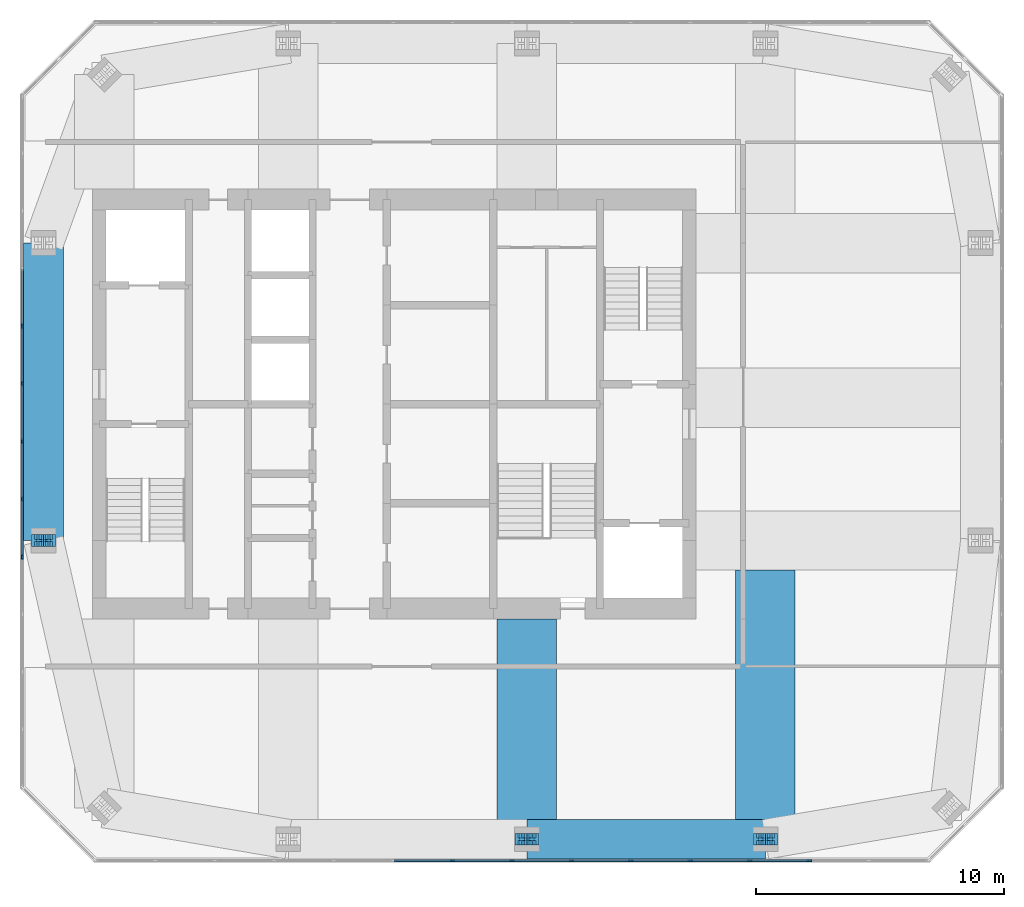
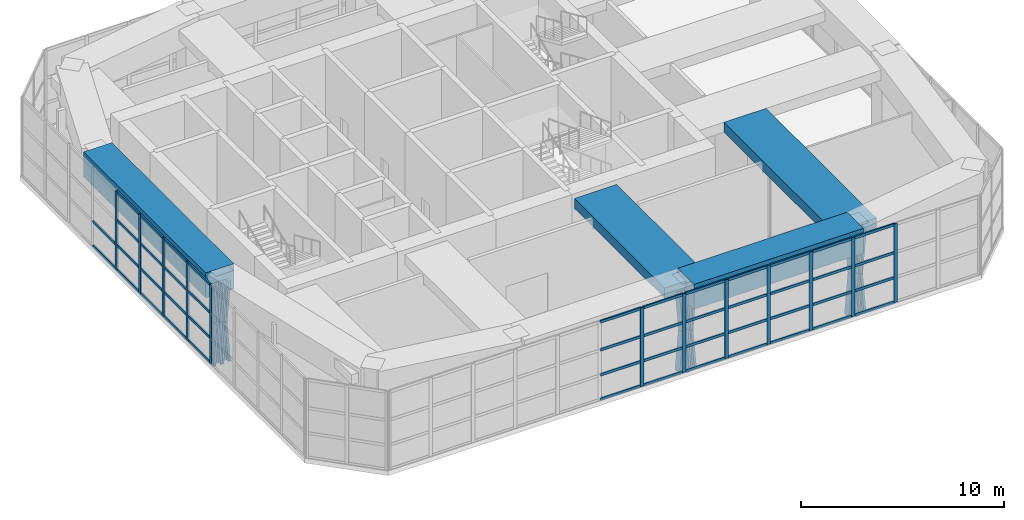
# One storey, part 3 of 14: 70 members, 4 beams, 2 elements without a shape of their own.
"""IFC4 building model written with IfcOpenShell, lengths in metres."""

from ifc_helpers import new_model, si_unit, direction, frame, origin, origin_2d, place, context, subcontext, project, spatial, rectangle, i_section, extrude, material, material_profile, profile_set, type_object, element, aggregate, save


model = new_model("IFC4")

# Units and contexts
model_context = context("Model", 3, precision=1e-05, world=origin(), true_north=direction((0.0, 1.0)))
body_context = subcontext(model_context, "Body", "Model", "MODEL_VIEW")
ifc_project = project(units=[si_unit("LENGTHUNIT", "METRE"), si_unit("AREAUNIT", "SQUARE_METRE"), si_unit("VOLUMEUNIT", "CUBIC_METRE"), si_unit("PLANEANGLEUNIT", "RADIAN"), si_unit("MASSUNIT", "GRAM", prefix="KILO")], contexts=[model_context])

# Site, building, storey
site_placement = place(None, origin())
site = spatial("IfcSite", under=ifc_project, at=site_placement, CompositionType="ELEMENT")
building_placement = place(site_placement, origin())
building = spatial("IfcBuilding", under=site, at=building_placement, Name="Jalousie Tower", CompositionType="ELEMENT")
storey_placement = place(building_placement, frame((0.0, 0.0, 267.75)))
storey = spatial("IfcBuildingStorey", under=building, at=storey_placement, Name="L73", CompositionType="ELEMENT", Elevation=267.75)

# Curtain wall, members
ifc_material_1 = material(Name="Aluminium curtain wall", Category="aluminium")
curtain_wall_type = type_object("IfcCurtainWallType", Name="CROWN LOUVRE WALL", PredefinedType="USERDEFINED", material=ifc_material_1)
curtain_wall_1_placement = place(storey_placement, origin())
curtain_wall_1 = element("IfcCurtainWall", 1, at=curtain_wall_1_placement, inside=storey, type_object=curtain_wall_type, Name="Crown Louvre Wall L73 1", ObjectType="CROWN LOUVRE WALL", PredefinedType="USERDEFINED")
ifc_material_2 = material(Name="Aluminium mullion", Category="aluminium")
ifc_material_profile_1 = material_profile(ifc_material_2, rectangle(XDim=0.080078125, YDim=0.199951171875, at=origin_2d()), Name="MULLION 80x200")
ifc_profile_set_1 = profile_set([ifc_material_profile_1], Name="Aluminium mullion")
member_type_1 = type_object("IfcMemberType", Name="CROWN LOUVRE WALL MULLION", PredefinedType="MULLION", material=ifc_profile_set_1)
member_1_placement = place(storey_placement, frame((34.250244140625, 0.08740234375, 0.0), z_axis=(0.0, 0.0, 1.0), x_axis=(0.0, 1.0, 0.0)))
member_1 = element("IfcMember", 2, at=member_1_placement, type_object=member_type_1, Name="CW-L mullion 7", PredefinedType="MULLION", context=body_context, shape_type="SweptSolid", body=[
    extrude(rectangle(XDim=0.080078125, YDim=0.199951171875, at=origin_2d()), origin(), (0.0, 0.0, 1.0), 4.719970703125),
])
member_2_placement = place(storey_placement, frame((36.64990234375, 0.08740234375, 0.0), z_axis=(0.0, 0.0, 1.0), x_axis=(0.0, 1.0, 0.0)))
member_2 = element("IfcMember", 3, at=member_2_placement, type_object=member_type_1, Name="CW-L mullion 8", PredefinedType="MULLION", context=body_context, shape_type="SweptSolid", body=[
    extrude(rectangle(XDim=0.080078125, YDim=0.199951171875, at=origin_2d()), origin(), (0.0, 0.0, 1.0), 4.719970703125),
])
member_3_placement = place(storey_placement, frame((39.0498046875, 0.08740234375, 0.0), z_axis=(0.0, 0.0, 1.0), x_axis=(0.0, 1.0, 0.0)))
member_3 = element("IfcMember", 4, at=member_3_placement, type_object=member_type_1, Name="CW-L mullion 9", PredefinedType="MULLION", context=body_context, shape_type="SweptSolid", body=[
    extrude(rectangle(XDim=0.080078125, YDim=0.199951171875, at=origin_2d()), origin(), (0.0, 0.0, 1.0), 4.719970703125),
])
member_4_placement = place(storey_placement, frame((41.44970703125, 0.08740234375, 0.0), z_axis=(0.0, 0.0, 1.0), x_axis=(0.0, 1.0, 0.0)))
member_4 = element("IfcMember", 5, at=member_4_placement, type_object=member_type_1, Name="CW-L mullion 10", PredefinedType="MULLION", context=body_context, shape_type="SweptSolid", body=[
    extrude(rectangle(XDim=0.080078125, YDim=0.199951171875, at=origin_2d()), origin(), (0.0, 0.0, 1.0), 4.719970703125),
])
member_5_placement = place(storey_placement, frame((43.849365234375, 0.08740234375, 0.0), z_axis=(0.0, 0.0, 1.0), x_axis=(0.0, 1.0, 0.0)))
member_5 = element("IfcMember", 6, at=member_5_placement, type_object=member_type_1, Name="CW-L mullion 11", PredefinedType="MULLION", context=body_context, shape_type="SweptSolid", body=[
    extrude(rectangle(XDim=0.080078125, YDim=0.199951171875, at=origin_2d()), origin(), (0.0, 0.0, 1.0), 4.719970703125),
])
member_6_placement = place(storey_placement, frame((46.249267578125, 0.08740234375, 0.0), z_axis=(0.0, 0.0, 1.0), x_axis=(0.0, 1.0, 0.0)))
member_6 = element("IfcMember", 7, at=member_6_placement, type_object=member_type_1, Name="CW-L mullion 12", PredefinedType="MULLION", context=body_context, shape_type="SweptSolid", body=[
    extrude(rectangle(XDim=0.080078125, YDim=0.199951171875, at=origin_2d()), origin(), (0.0, 0.0, 1.0), 4.719970703125),
])
member_7_placement = place(storey_placement, frame((48.649169921875, 0.08740234375, 0.0), z_axis=(0.0, 0.0, 1.0), x_axis=(0.0, 1.0, 0.0)))
member_7 = element("IfcMember", 8, at=member_7_placement, type_object=member_type_1, Name="CW-L mullion 13", PredefinedType="MULLION", context=body_context, shape_type="SweptSolid", body=[
    extrude(rectangle(XDim=0.080078125, YDim=0.199951171875, at=origin_2d()), origin(), (0.0, 0.0, 1.0), 4.719970703125),
])

curtain_wall_2_placement = place(storey_placement, origin())
curtain_wall_2 = element("IfcCurtainWall", 9, at=curtain_wall_2_placement, inside=storey, type_object=curtain_wall_type, Name="Crown Louvre Wall L73 7", ObjectType="CROWN LOUVRE WALL", PredefinedType="USERDEFINED")
member_8_placement = place(storey_placement, frame((16.887451171875, 21.649658203125, 0.0), z_axis=(0.0, 0.0, 1.0), x_axis=(1.0, 0.0, 0.0)))
member_8 = element("IfcMember", 10, at=member_8_placement, type_object=member_type_1, Name="CW-L mullion 5", PredefinedType="MULLION", context=body_context, shape_type="SweptSolid", body=[
    extrude(rectangle(XDim=0.080078125, YDim=0.199951171875, at=origin_2d()), origin(), (0.0, 0.0, 1.0), 4.719970703125),
])
member_9_placement = place(storey_placement, frame((16.887451171875, 19.32470703125, 0.0), z_axis=(0.0, 0.0, 1.0), x_axis=(1.0, 0.0, 0.0)))
member_9 = element("IfcMember", 11, at=member_9_placement, type_object=member_type_1, Name="CW-L mullion 6", PredefinedType="MULLION", context=body_context, shape_type="SweptSolid", body=[
    extrude(rectangle(XDim=0.080078125, YDim=0.199951171875, at=origin_2d()), origin(), (0.0, 0.0, 1.0), 4.719970703125),
])
member_10_placement = place(storey_placement, frame((16.887451171875, 17.0, 0.0), z_axis=(0.0, 0.0, 1.0), x_axis=(1.0, 0.0, 0.0)))
member_10 = element("IfcMember", 12, at=member_10_placement, type_object=member_type_1, Name="CW-L mullion 7", PredefinedType="MULLION", context=body_context, shape_type="SweptSolid", body=[
    extrude(rectangle(XDim=0.080078125, YDim=0.199951171875, at=origin_2d()), origin(), (0.0, 0.0, 1.0), 4.719970703125),
])
member_11_placement = place(storey_placement, frame((16.887451171875, 14.67529296875, 0.0), z_axis=(0.0, 0.0, 1.0), x_axis=(1.0, 0.0, 0.0)))
member_11 = element("IfcMember", 13, at=member_11_placement, type_object=member_type_1, Name="CW-L mullion 8", PredefinedType="MULLION", context=body_context, shape_type="SweptSolid", body=[
    extrude(rectangle(XDim=0.080078125, YDim=0.199951171875, at=origin_2d()), origin(), (0.0, 0.0, 1.0), 4.719970703125),
])
member_12_placement = place(storey_placement, frame((16.887451171875, 12.350341796875, 0.0), z_axis=(0.0, 0.0, 1.0), x_axis=(1.0, 0.0, 0.0)))
member_12 = element("IfcMember", 14, at=member_12_placement, type_object=member_type_1, Name="CW-L mullion 9", PredefinedType="MULLION", context=body_context, shape_type="SweptSolid", body=[
    extrude(rectangle(XDim=0.080078125, YDim=0.199951171875, at=origin_2d()), origin(), (0.0, 0.0, 1.0), 4.719970703125),
])

# Member
ifc_material_3 = material(Name="Aluminium transom", Category="aluminium")
ifc_material_profile_2 = material_profile(ifc_material_3, rectangle(XDim=0.080078125, YDim=0.159912109375, at=origin_2d()), Name="TRANSOM 80x160")
ifc_profile_set_2 = profile_set([ifc_material_profile_2], Name="Aluminium transom")
member_type_2 = type_object("IfcMemberType", Name="CROWN LOUVRE WALL TRANSOM", PredefinedType="USERDEFINED", material=ifc_profile_set_2)
member_13_placement = place(storey_placement, frame((31.890380859375, 0.08740234375, 0.0400390625), z_axis=(1.0, 0.0, 0.0), x_axis=(0.0, 1.0, 0.0)))
member_13 = element("IfcMember", 15, at=member_13_placement, type_object=member_type_2, Name="CW-L transom 6.1", ObjectType="TRANSOM", PredefinedType="USERDEFINED", context=body_context, shape_type="SweptSolid", body=[
    extrude(rectangle(XDim=0.080078125, YDim=0.159912109375, at=origin_2d()), origin(), (0.0, 0.0, 1.0), 2.31982421875),
])

member_14_placement = place(storey_placement, frame((31.890380859375, 0.08740234375, 1.5), z_axis=(1.0, 0.0, 0.0), x_axis=(0.0, 1.0, 0.0)))
member_14 = element("IfcMember", 16, at=member_14_placement, type_object=member_type_2, Name="CW-L transom 6.2", ObjectType="TRANSOM", PredefinedType="USERDEFINED", context=body_context, shape_type="SweptSolid", body=[
    extrude(rectangle(XDim=0.080078125, YDim=0.159912109375, at=origin_2d()), origin(), (0.0, 0.0, 1.0), 2.31982421875),
])

member_15_placement = place(storey_placement, frame((31.890380859375, 0.08740234375, 3.0), z_axis=(1.0, 0.0, 0.0), x_axis=(0.0, 1.0, 0.0)))
member_15 = element("IfcMember", 17, at=member_15_placement, type_object=member_type_2, Name="CW-L transom 6.3", ObjectType="TRANSOM", PredefinedType="USERDEFINED", context=body_context, shape_type="SweptSolid", body=[
    extrude(rectangle(XDim=0.080078125, YDim=0.159912109375, at=origin_2d()), origin(), (0.0, 0.0, 1.0), 2.31982421875),
])

member_16_placement = place(storey_placement, frame((31.890380859375, 0.08740234375, 4.679931640625), z_axis=(1.0, 0.0, 0.0), x_axis=(0.0, 1.0, 0.0)))
member_16 = element("IfcMember", 18, at=member_16_placement, type_object=member_type_2, Name="CW-L transom 6.4", ObjectType="TRANSOM", PredefinedType="USERDEFINED", context=body_context, shape_type="SweptSolid", body=[
    extrude(rectangle(XDim=0.080078125, YDim=0.159912109375, at=origin_2d()), origin(), (0.0, 0.0, 1.0), 2.31982421875),
])

member_17_placement = place(storey_placement, frame((34.290283203125, 0.08740234375, 0.0400390625), z_axis=(1.0, 0.0, 0.0), x_axis=(0.0, 1.0, 0.0)))
member_17 = element("IfcMember", 19, at=member_17_placement, type_object=member_type_2, Name="CW-L transom 7.1", ObjectType="TRANSOM", PredefinedType="USERDEFINED", context=body_context, shape_type="SweptSolid", body=[
    extrude(rectangle(XDim=0.080078125, YDim=0.159912109375, at=origin_2d()), origin(), (0.0, 0.0, 1.0), 2.31982421875),
])

member_18_placement = place(storey_placement, frame((34.290283203125, 0.08740234375, 1.5), z_axis=(1.0, 0.0, 0.0), x_axis=(0.0, 1.0, 0.0)))
member_18 = element("IfcMember", 20, at=member_18_placement, type_object=member_type_2, Name="CW-L transom 7.2", ObjectType="TRANSOM", PredefinedType="USERDEFINED", context=body_context, shape_type="SweptSolid", body=[
    extrude(rectangle(XDim=0.080078125, YDim=0.159912109375, at=origin_2d()), origin(), (0.0, 0.0, 1.0), 2.31982421875),
])

member_19_placement = place(storey_placement, frame((34.290283203125, 0.08740234375, 3.0), z_axis=(1.0, 0.0, 0.0), x_axis=(0.0, 1.0, 0.0)))
member_19 = element("IfcMember", 21, at=member_19_placement, type_object=member_type_2, Name="CW-L transom 7.3", ObjectType="TRANSOM", PredefinedType="USERDEFINED", context=body_context, shape_type="SweptSolid", body=[
    extrude(rectangle(XDim=0.080078125, YDim=0.159912109375, at=origin_2d()), origin(), (0.0, 0.0, 1.0), 2.31982421875),
])

member_20_placement = place(storey_placement, frame((34.290283203125, 0.08740234375, 4.679931640625), z_axis=(1.0, 0.0, 0.0), x_axis=(0.0, 1.0, 0.0)))
member_20 = element("IfcMember", 22, at=member_20_placement, type_object=member_type_2, Name="CW-L transom 7.4", ObjectType="TRANSOM", PredefinedType="USERDEFINED", context=body_context, shape_type="SweptSolid", body=[
    extrude(rectangle(XDim=0.080078125, YDim=0.159912109375, at=origin_2d()), origin(), (0.0, 0.0, 1.0), 2.31982421875),
])

member_21_placement = place(storey_placement, frame((36.68994140625, 0.08740234375, 0.0400390625), z_axis=(1.0, 0.0, 0.0), x_axis=(0.0, 1.0, 0.0)))
member_21 = element("IfcMember", 23, at=member_21_placement, type_object=member_type_2, Name="CW-L transom 8.1", ObjectType="TRANSOM", PredefinedType="USERDEFINED", context=body_context, shape_type="SweptSolid", body=[
    extrude(rectangle(XDim=0.080078125, YDim=0.159912109375, at=origin_2d()), origin(), (0.0, 0.0, 1.0), 2.31982421875),
])

member_22_placement = place(storey_placement, frame((36.68994140625, 0.08740234375, 1.5), z_axis=(1.0, 0.0, 0.0), x_axis=(0.0, 1.0, 0.0)))
member_22 = element("IfcMember", 24, at=member_22_placement, type_object=member_type_2, Name="CW-L transom 8.2", ObjectType="TRANSOM", PredefinedType="USERDEFINED", context=body_context, shape_type="SweptSolid", body=[
    extrude(rectangle(XDim=0.080078125, YDim=0.159912109375, at=origin_2d()), origin(), (0.0, 0.0, 1.0), 2.31982421875),
])

member_23_placement = place(storey_placement, frame((36.68994140625, 0.08740234375, 3.0), z_axis=(1.0, 0.0, 0.0), x_axis=(0.0, 1.0, 0.0)))
member_23 = element("IfcMember", 25, at=member_23_placement, type_object=member_type_2, Name="CW-L transom 8.3", ObjectType="TRANSOM", PredefinedType="USERDEFINED", context=body_context, shape_type="SweptSolid", body=[
    extrude(rectangle(XDim=0.080078125, YDim=0.159912109375, at=origin_2d()), origin(), (0.0, 0.0, 1.0), 2.31982421875),
])

member_24_placement = place(storey_placement, frame((36.68994140625, 0.08740234375, 4.679931640625), z_axis=(1.0, 0.0, 0.0), x_axis=(0.0, 1.0, 0.0)))
member_24 = element("IfcMember", 26, at=member_24_placement, type_object=member_type_2, Name="CW-L transom 8.4", ObjectType="TRANSOM", PredefinedType="USERDEFINED", context=body_context, shape_type="SweptSolid", body=[
    extrude(rectangle(XDim=0.080078125, YDim=0.159912109375, at=origin_2d()), origin(), (0.0, 0.0, 1.0), 2.31982421875),
])

member_25_placement = place(storey_placement, frame((39.08984375, 0.08740234375, 0.0400390625), z_axis=(1.0, 0.0, 0.0), x_axis=(0.0, 1.0, 0.0)))
member_25 = element("IfcMember", 27, at=member_25_placement, type_object=member_type_2, Name="CW-L transom 9.1", ObjectType="TRANSOM", PredefinedType="USERDEFINED", context=body_context, shape_type="SweptSolid", body=[
    extrude(rectangle(XDim=0.080078125, YDim=0.159912109375, at=origin_2d()), origin(), (0.0, 0.0, 1.0), 2.31982421875),
])

member_26_placement = place(storey_placement, frame((39.08984375, 0.08740234375, 1.5), z_axis=(1.0, 0.0, 0.0), x_axis=(0.0, 1.0, 0.0)))
member_26 = element("IfcMember", 28, at=member_26_placement, type_object=member_type_2, Name="CW-L transom 9.2", ObjectType="TRANSOM", PredefinedType="USERDEFINED", context=body_context, shape_type="SweptSolid", body=[
    extrude(rectangle(XDim=0.080078125, YDim=0.159912109375, at=origin_2d()), origin(), (0.0, 0.0, 1.0), 2.31982421875),
])

member_27_placement = place(storey_placement, frame((39.08984375, 0.08740234375, 3.0), z_axis=(1.0, 0.0, 0.0), x_axis=(0.0, 1.0, 0.0)))
member_27 = element("IfcMember", 29, at=member_27_placement, type_object=member_type_2, Name="CW-L transom 9.3", ObjectType="TRANSOM", PredefinedType="USERDEFINED", context=body_context, shape_type="SweptSolid", body=[
    extrude(rectangle(XDim=0.080078125, YDim=0.159912109375, at=origin_2d()), origin(), (0.0, 0.0, 1.0), 2.31982421875),
])

member_28_placement = place(storey_placement, frame((39.08984375, 0.08740234375, 4.679931640625), z_axis=(1.0, 0.0, 0.0), x_axis=(0.0, 1.0, 0.0)))
member_28 = element("IfcMember", 30, at=member_28_placement, type_object=member_type_2, Name="CW-L transom 9.4", ObjectType="TRANSOM", PredefinedType="USERDEFINED", context=body_context, shape_type="SweptSolid", body=[
    extrude(rectangle(XDim=0.080078125, YDim=0.159912109375, at=origin_2d()), origin(), (0.0, 0.0, 1.0), 2.31982421875),
])

member_29_placement = place(storey_placement, frame((41.48974609375, 0.08740234375, 0.0400390625), z_axis=(1.0, 0.0, 0.0), x_axis=(0.0, 1.0, 0.0)))
member_29 = element("IfcMember", 31, at=member_29_placement, type_object=member_type_2, Name="CW-L transom 10.1", ObjectType="TRANSOM", PredefinedType="USERDEFINED", context=body_context, shape_type="SweptSolid", body=[
    extrude(rectangle(XDim=0.080078125, YDim=0.159912109375, at=origin_2d()), origin(), (0.0, 0.0, 1.0), 2.319580078125),
])

member_30_placement = place(storey_placement, frame((41.48974609375, 0.08740234375, 1.5), z_axis=(1.0, 0.0, 0.0), x_axis=(0.0, 1.0, 0.0)))
member_30 = element("IfcMember", 32, at=member_30_placement, type_object=member_type_2, Name="CW-L transom 10.2", ObjectType="TRANSOM", PredefinedType="USERDEFINED", context=body_context, shape_type="SweptSolid", body=[
    extrude(rectangle(XDim=0.080078125, YDim=0.159912109375, at=origin_2d()), origin(), (0.0, 0.0, 1.0), 2.319580078125),
])

member_31_placement = place(storey_placement, frame((41.48974609375, 0.08740234375, 3.0), z_axis=(1.0, 0.0, 0.0), x_axis=(0.0, 1.0, 0.0)))
member_31 = element("IfcMember", 33, at=member_31_placement, type_object=member_type_2, Name="CW-L transom 10.3", ObjectType="TRANSOM", PredefinedType="USERDEFINED", context=body_context, shape_type="SweptSolid", body=[
    extrude(rectangle(XDim=0.080078125, YDim=0.159912109375, at=origin_2d()), origin(), (0.0, 0.0, 1.0), 2.319580078125),
])

member_32_placement = place(storey_placement, frame((41.48974609375, 0.08740234375, 4.679931640625), z_axis=(1.0, 0.0, 0.0), x_axis=(0.0, 1.0, 0.0)))
member_32 = element("IfcMember", 34, at=member_32_placement, type_object=member_type_2, Name="CW-L transom 10.4", ObjectType="TRANSOM", PredefinedType="USERDEFINED", context=body_context, shape_type="SweptSolid", body=[
    extrude(rectangle(XDim=0.080078125, YDim=0.159912109375, at=origin_2d()), origin(), (0.0, 0.0, 1.0), 2.319580078125),
])

member_33_placement = place(storey_placement, frame((43.889404296875, 0.08740234375, 0.0400390625), z_axis=(1.0, 0.0, 0.0), x_axis=(0.0, 1.0, 0.0)))
member_33 = element("IfcMember", 35, at=member_33_placement, type_object=member_type_2, Name="CW-L transom 11.1", ObjectType="TRANSOM", PredefinedType="USERDEFINED", context=body_context, shape_type="SweptSolid", body=[
    extrude(rectangle(XDim=0.080078125, YDim=0.159912109375, at=origin_2d()), origin(), (0.0, 0.0, 1.0), 2.31982421875),
])

member_34_placement = place(storey_placement, frame((43.889404296875, 0.08740234375, 1.5), z_axis=(1.0, 0.0, 0.0), x_axis=(0.0, 1.0, 0.0)))
member_34 = element("IfcMember", 36, at=member_34_placement, type_object=member_type_2, Name="CW-L transom 11.2", ObjectType="TRANSOM", PredefinedType="USERDEFINED", context=body_context, shape_type="SweptSolid", body=[
    extrude(rectangle(XDim=0.080078125, YDim=0.159912109375, at=origin_2d()), origin(), (0.0, 0.0, 1.0), 2.31982421875),
])

member_35_placement = place(storey_placement, frame((43.889404296875, 0.08740234375, 3.0), z_axis=(1.0, 0.0, 0.0), x_axis=(0.0, 1.0, 0.0)))
member_35 = element("IfcMember", 37, at=member_35_placement, type_object=member_type_2, Name="CW-L transom 11.3", ObjectType="TRANSOM", PredefinedType="USERDEFINED", context=body_context, shape_type="SweptSolid", body=[
    extrude(rectangle(XDim=0.080078125, YDim=0.159912109375, at=origin_2d()), origin(), (0.0, 0.0, 1.0), 2.31982421875),
])

member_36_placement = place(storey_placement, frame((43.889404296875, 0.08740234375, 4.679931640625), z_axis=(1.0, 0.0, 0.0), x_axis=(0.0, 1.0, 0.0)))
member_36 = element("IfcMember", 38, at=member_36_placement, type_object=member_type_2, Name="CW-L transom 11.4", ObjectType="TRANSOM", PredefinedType="USERDEFINED", context=body_context, shape_type="SweptSolid", body=[
    extrude(rectangle(XDim=0.080078125, YDim=0.159912109375, at=origin_2d()), origin(), (0.0, 0.0, 1.0), 2.31982421875),
])

member_37_placement = place(storey_placement, frame((46.289306640625, 0.08740234375, 0.0400390625), z_axis=(1.0, 0.0, 0.0), x_axis=(0.0, 1.0, 0.0)))
member_37 = element("IfcMember", 39, at=member_37_placement, type_object=member_type_2, Name="CW-L transom 12.1", ObjectType="TRANSOM", PredefinedType="USERDEFINED", context=body_context, shape_type="SweptSolid", body=[
    extrude(rectangle(XDim=0.080078125, YDim=0.159912109375, at=origin_2d()), origin(), (0.0, 0.0, 1.0), 2.31982421875),
])

member_38_placement = place(storey_placement, frame((46.289306640625, 0.08740234375, 1.5), z_axis=(1.0, 0.0, 0.0), x_axis=(0.0, 1.0, 0.0)))
member_38 = element("IfcMember", 40, at=member_38_placement, type_object=member_type_2, Name="CW-L transom 12.2", ObjectType="TRANSOM", PredefinedType="USERDEFINED", context=body_context, shape_type="SweptSolid", body=[
    extrude(rectangle(XDim=0.080078125, YDim=0.159912109375, at=origin_2d()), origin(), (0.0, 0.0, 1.0), 2.31982421875),
])

member_39_placement = place(storey_placement, frame((46.289306640625, 0.08740234375, 3.0), z_axis=(1.0, 0.0, 0.0), x_axis=(0.0, 1.0, 0.0)))
member_39 = element("IfcMember", 41, at=member_39_placement, type_object=member_type_2, Name="CW-L transom 12.3", ObjectType="TRANSOM", PredefinedType="USERDEFINED", context=body_context, shape_type="SweptSolid", body=[
    extrude(rectangle(XDim=0.080078125, YDim=0.159912109375, at=origin_2d()), origin(), (0.0, 0.0, 1.0), 2.31982421875),
])

member_40_placement = place(storey_placement, frame((46.289306640625, 0.08740234375, 4.679931640625), z_axis=(1.0, 0.0, 0.0), x_axis=(0.0, 1.0, 0.0)))
member_40 = element("IfcMember", 42, at=member_40_placement, type_object=member_type_2, Name="CW-L transom 12.4", ObjectType="TRANSOM", PredefinedType="USERDEFINED", context=body_context, shape_type="SweptSolid", body=[
    extrude(rectangle(XDim=0.080078125, YDim=0.159912109375, at=origin_2d()), origin(), (0.0, 0.0, 1.0), 2.31982421875),
])

aggregate(curtain_wall_1, [member_1, member_2, member_3, member_4, member_5, member_6, member_7, member_13, member_14, member_15, member_16, member_17, member_18, member_19, member_20, member_21, member_22, member_23, member_24, member_25, member_26, member_27, member_28, member_29, member_30, member_31, member_32, member_33, member_34, member_35, member_36, member_37, member_38, member_39, member_40])

member_41_placement = place(storey_placement, frame((16.887451171875, 23.934326171875, 0.0400390625), z_axis=(0.0, -1.0, 0.0), x_axis=(1.0, 0.0, 0.0)))
member_41 = element("IfcMember", 43, at=member_41_placement, type_object=member_type_2, Name="CW-L transom 4.1", ObjectType="TRANSOM", PredefinedType="USERDEFINED", context=body_context, shape_type="SweptSolid", body=[
    extrude(rectangle(XDim=0.080078125, YDim=0.159912109375, at=origin_2d()), origin(), (0.0, 0.0, 1.0), 2.244873046875),
])

member_42_placement = place(storey_placement, frame((16.887451171875, 23.934326171875, 1.5), z_axis=(0.0, -1.0, 0.0), x_axis=(1.0, 0.0, 0.0)))
member_42 = element("IfcMember", 44, at=member_42_placement, type_object=member_type_2, Name="CW-L transom 4.2", ObjectType="TRANSOM", PredefinedType="USERDEFINED", context=body_context, shape_type="SweptSolid", body=[
    extrude(rectangle(XDim=0.080078125, YDim=0.159912109375, at=origin_2d()), origin(), (0.0, 0.0, 1.0), 2.244873046875),
])

member_43_placement = place(storey_placement, frame((16.887451171875, 21.609619140625, 0.0400390625), z_axis=(0.0, -1.0, 0.0), x_axis=(1.0, 0.0, 0.0)))
member_43 = element("IfcMember", 45, at=member_43_placement, type_object=member_type_2, Name="CW-L transom 5.1", ObjectType="TRANSOM", PredefinedType="USERDEFINED", context=body_context, shape_type="SweptSolid", body=[
    extrude(rectangle(XDim=0.080078125, YDim=0.159912109375, at=origin_2d()), origin(), (0.0, 0.0, 1.0), 2.244873046875),
])

member_44_placement = place(storey_placement, frame((16.887451171875, 21.609619140625, 1.5), z_axis=(0.0, -1.0, 0.0), x_axis=(1.0, 0.0, 0.0)))
member_44 = element("IfcMember", 46, at=member_44_placement, type_object=member_type_2, Name="CW-L transom 5.2", ObjectType="TRANSOM", PredefinedType="USERDEFINED", context=body_context, shape_type="SweptSolid", body=[
    extrude(rectangle(XDim=0.080078125, YDim=0.159912109375, at=origin_2d()), origin(), (0.0, 0.0, 1.0), 2.244873046875),
])

member_45_placement = place(storey_placement, frame((16.887451171875, 21.609619140625, 3.0), z_axis=(0.0, -1.0, 0.0), x_axis=(1.0, 0.0, 0.0)))
member_45 = element("IfcMember", 47, at=member_45_placement, type_object=member_type_2, Name="CW-L transom 5.3", ObjectType="TRANSOM", PredefinedType="USERDEFINED", context=body_context, shape_type="SweptSolid", body=[
    extrude(rectangle(XDim=0.080078125, YDim=0.159912109375, at=origin_2d()), origin(), (0.0, 0.0, 1.0), 2.244873046875),
])

member_46_placement = place(storey_placement, frame((16.887451171875, 21.609619140625, 4.679931640625), z_axis=(0.0, -1.0, 0.0), x_axis=(1.0, 0.0, 0.0)))
member_46 = element("IfcMember", 48, at=member_46_placement, type_object=member_type_2, Name="CW-L transom 5.4", ObjectType="TRANSOM", PredefinedType="USERDEFINED", context=body_context, shape_type="SweptSolid", body=[
    extrude(rectangle(XDim=0.080078125, YDim=0.159912109375, at=origin_2d()), origin(), (0.0, 0.0, 1.0), 2.244873046875),
])

member_47_placement = place(storey_placement, frame((16.887451171875, 19.28466796875, 0.0400390625), z_axis=(0.0, -1.0, 0.0), x_axis=(1.0, 0.0, 0.0)))
member_47 = element("IfcMember", 49, at=member_47_placement, type_object=member_type_2, Name="CW-L transom 6.1", ObjectType="TRANSOM", PredefinedType="USERDEFINED", context=body_context, shape_type="SweptSolid", body=[
    extrude(rectangle(XDim=0.080078125, YDim=0.159912109375, at=origin_2d()), origin(), (0.0, 0.0, 1.0), 2.24462890625),
])

member_48_placement = place(storey_placement, frame((16.887451171875, 19.28466796875, 1.5), z_axis=(0.0, -1.0, 0.0), x_axis=(1.0, 0.0, 0.0)))
member_48 = element("IfcMember", 50, at=member_48_placement, type_object=member_type_2, Name="CW-L transom 6.2", ObjectType="TRANSOM", PredefinedType="USERDEFINED", context=body_context, shape_type="SweptSolid", body=[
    extrude(rectangle(XDim=0.080078125, YDim=0.159912109375, at=origin_2d()), origin(), (0.0, 0.0, 1.0), 2.24462890625),
])

member_49_placement = place(storey_placement, frame((16.887451171875, 19.28466796875, 3.0), z_axis=(0.0, -1.0, 0.0), x_axis=(1.0, 0.0, 0.0)))
member_49 = element("IfcMember", 51, at=member_49_placement, type_object=member_type_2, Name="CW-L transom 6.3", ObjectType="TRANSOM", PredefinedType="USERDEFINED", context=body_context, shape_type="SweptSolid", body=[
    extrude(rectangle(XDim=0.080078125, YDim=0.159912109375, at=origin_2d()), origin(), (0.0, 0.0, 1.0), 2.24462890625),
])

member_50_placement = place(storey_placement, frame((16.887451171875, 19.28466796875, 4.679931640625), z_axis=(0.0, -1.0, 0.0), x_axis=(1.0, 0.0, 0.0)))
member_50 = element("IfcMember", 52, at=member_50_placement, type_object=member_type_2, Name="CW-L transom 6.4", ObjectType="TRANSOM", PredefinedType="USERDEFINED", context=body_context, shape_type="SweptSolid", body=[
    extrude(rectangle(XDim=0.080078125, YDim=0.159912109375, at=origin_2d()), origin(), (0.0, 0.0, 1.0), 2.24462890625),
])

member_51_placement = place(storey_placement, frame((16.887451171875, 16.9599609375, 0.0400390625), z_axis=(0.0, -1.0, 0.0), x_axis=(1.0, 0.0, 0.0)))
member_51 = element("IfcMember", 53, at=member_51_placement, type_object=member_type_2, Name="CW-L transom 7.1", ObjectType="TRANSOM", PredefinedType="USERDEFINED", context=body_context, shape_type="SweptSolid", body=[
    extrude(rectangle(XDim=0.080078125, YDim=0.159912109375, at=origin_2d()), origin(), (0.0, 0.0, 1.0), 2.24462890625),
])

member_52_placement = place(storey_placement, frame((16.887451171875, 16.9599609375, 1.5), z_axis=(0.0, -1.0, 0.0), x_axis=(1.0, 0.0, 0.0)))
member_52 = element("IfcMember", 54, at=member_52_placement, type_object=member_type_2, Name="CW-L transom 7.2", ObjectType="TRANSOM", PredefinedType="USERDEFINED", context=body_context, shape_type="SweptSolid", body=[
    extrude(rectangle(XDim=0.080078125, YDim=0.159912109375, at=origin_2d()), origin(), (0.0, 0.0, 1.0), 2.24462890625),
])

member_53_placement = place(storey_placement, frame((16.887451171875, 16.9599609375, 3.0), z_axis=(0.0, -1.0, 0.0), x_axis=(1.0, 0.0, 0.0)))
member_53 = element("IfcMember", 55, at=member_53_placement, type_object=member_type_2, Name="CW-L transom 7.3", ObjectType="TRANSOM", PredefinedType="USERDEFINED", context=body_context, shape_type="SweptSolid", body=[
    extrude(rectangle(XDim=0.080078125, YDim=0.159912109375, at=origin_2d()), origin(), (0.0, 0.0, 1.0), 2.24462890625),
])

member_54_placement = place(storey_placement, frame((16.887451171875, 16.9599609375, 4.679931640625), z_axis=(0.0, -1.0, 0.0), x_axis=(1.0, 0.0, 0.0)))
member_54 = element("IfcMember", 56, at=member_54_placement, type_object=member_type_2, Name="CW-L transom 7.4", ObjectType="TRANSOM", PredefinedType="USERDEFINED", context=body_context, shape_type="SweptSolid", body=[
    extrude(rectangle(XDim=0.080078125, YDim=0.159912109375, at=origin_2d()), origin(), (0.0, 0.0, 1.0), 2.24462890625),
])

member_55_placement = place(storey_placement, frame((16.887451171875, 14.63525390625, 0.0400390625), z_axis=(0.0, -1.0, 0.0), x_axis=(1.0, 0.0, 0.0)))
member_55 = element("IfcMember", 57, at=member_55_placement, type_object=member_type_2, Name="CW-L transom 8.1", ObjectType="TRANSOM", PredefinedType="USERDEFINED", context=body_context, shape_type="SweptSolid", body=[
    extrude(rectangle(XDim=0.080078125, YDim=0.159912109375, at=origin_2d()), origin(), (0.0, 0.0, 1.0), 2.244873046875),
])

member_56_placement = place(storey_placement, frame((16.887451171875, 14.63525390625, 1.5), z_axis=(0.0, -1.0, 0.0), x_axis=(1.0, 0.0, 0.0)))
member_56 = element("IfcMember", 58, at=member_56_placement, type_object=member_type_2, Name="CW-L transom 8.2", ObjectType="TRANSOM", PredefinedType="USERDEFINED", context=body_context, shape_type="SweptSolid", body=[
    extrude(rectangle(XDim=0.080078125, YDim=0.159912109375, at=origin_2d()), origin(), (0.0, 0.0, 1.0), 2.244873046875),
])

member_57_placement = place(storey_placement, frame((16.887451171875, 14.63525390625, 3.0), z_axis=(0.0, -1.0, 0.0), x_axis=(1.0, 0.0, 0.0)))
member_57 = element("IfcMember", 59, at=member_57_placement, type_object=member_type_2, Name="CW-L transom 8.3", ObjectType="TRANSOM", PredefinedType="USERDEFINED", context=body_context, shape_type="SweptSolid", body=[
    extrude(rectangle(XDim=0.080078125, YDim=0.159912109375, at=origin_2d()), origin(), (0.0, 0.0, 1.0), 2.244873046875),
])

member_58_placement = place(storey_placement, frame((16.887451171875, 14.63525390625, 4.679931640625), z_axis=(0.0, -1.0, 0.0), x_axis=(1.0, 0.0, 0.0)))
member_58 = element("IfcMember", 60, at=member_58_placement, type_object=member_type_2, Name="CW-L transom 8.4", ObjectType="TRANSOM", PredefinedType="USERDEFINED", context=body_context, shape_type="SweptSolid", body=[
    extrude(rectangle(XDim=0.080078125, YDim=0.159912109375, at=origin_2d()), origin(), (0.0, 0.0, 1.0), 2.244873046875),
])

aggregate(curtain_wall_2, [member_8, member_9, member_10, member_11, member_12, member_41, member_42, member_43, member_44, member_45, member_46, member_47, member_48, member_49, member_50, member_51, member_52, member_53, member_54, member_55, member_56, member_57, member_58])

# Members
ifc_material_4 = material(Name="Steel ASTM A992 Grade 50", Category="steel")
ifc_material_profile_3 = material_profile(ifc_material_4, i_section(OverallWidth=0.472412109375, OverallDepth=0.5791015625, WebThickness=0.094970703125, FlangeThickness=0.1298828125, at=origin_2d()), Name="W14X808")
ifc_profile_set_3 = profile_set([ifc_material_profile_3], Name="Steel ASTM A992 Grade 50")
member_type_3 = type_object("IfcMemberType", Name="PERIMETER BRACE W14X808", PredefinedType="BRACE", material=ifc_profile_set_3)
for number, where, z_axis, x_axis, name in (
    (61, (37.050048828125, 0.949951171875, -0.60009765625), (0.08217357985, 0.0, 0.996618032535), (0.0, 1.0, 0.0), "Perimeter brace 03 L73 part 1"),
    (62, (37.25, 0.949951171875, 1.824951171875), (0.08217357985, 0.0, 0.996618032535), (0.0, 1.0, 0.0), "Perimeter brace 03 L73 part 2"),
    (63, (37.449951171875, 0.949951171875, -0.60009765625), (-0.08217357985, 0.0, 0.996618032535), (0.0, -1.0, 0.0), "Perimeter brace 03 L73 part 3"),
    (64, (37.25, 0.949951171875, 1.824951171875), (-0.08217357985, 0.0, 0.996618032535), (0.0, -1.0, 0.0), "Perimeter brace 03 L73 part 4"),
    (65, (46.675048828125, 0.949951171875, -0.60009765625), (0.08217357985, 0.0, 0.996618032535), (0.0, 1.0, 0.0), "Perimeter brace 04 L73 part 1"),
    (66, (46.875, 0.949951171875, 1.824951171875), (0.08217357985, 0.0, 0.996618032535), (0.0, 1.0, 0.0), "Perimeter brace 04 L73 part 2"),
    (67, (47.074951171875, 0.949951171875, -0.60009765625), (-0.08217357985, 0.0, 0.996618032535), (0.0, -1.0, 0.0), "Perimeter brace 04 L73 part 3"),
    (68, (46.875, 0.949951171875, 1.824951171875), (-0.08217357985, 0.0, 0.996618032535), (0.0, -1.0, 0.0), "Perimeter brace 04 L73 part 4"),
    (69, (17.550048828125, 13.0, -0.60009765625), (0.08217357985, 0.0, 0.996618032535), (0.0, 1.0, 0.0), "Perimeter brace 14 L73 part 1"),
    (70, (17.75, 13.0, 1.824951171875), (0.08217357985, 0.0, 0.996618032535), (0.0, 1.0, 0.0), "Perimeter brace 14 L73 part 2"),
    (71, (17.949951171875, 13.0, -0.60009765625), (-0.08217357985, 0.0, 0.996618032535), (0.0, -1.0, 0.0), "Perimeter brace 14 L73 part 3"),
    (72, (17.75, 13.0, 1.824951171875), (-0.08217357985, 0.0, 0.996618032535), (0.0, -1.0, 0.0), "Perimeter brace 14 L73 part 4"),
):
    element("IfcMember", number, at=place(storey_placement, frame(where, z_axis=z_axis, x_axis=x_axis)), inside=storey, type_object=member_type_3, Name=name, PredefinedType="BRACE", context=body_context, shape_type="SweptSolid", body=[
        extrude(i_section(OverallWidth=0.472412109375, OverallDepth=0.5791015625, WebThickness=0.094970703125, FlangeThickness=0.1298828125, at=origin_2d()), origin(), (0.0, 0.0, 1.0), 2.433349609375),
    ])

# Beams
ifc_material_5 = material(Name="Concrete f'c 40 MPa", Category="concrete")
ifc_material_profile_4 = material_profile(ifc_material_5, rectangle(XDim=1.60009765625, YDim=1.5, at=origin_2d()), Name="RC 1600x1500")
ifc_profile_set_4 = profile_set([ifc_material_profile_4], Name="Concrete f'c 40 MPa")
beam_type_1 = type_object("IfcBeamType", Name="RC BEAM 1600x1500", PredefinedType="BEAM", material=ifc_profile_set_4)
beam_1_placement = place(storey_placement, frame((37.25, 0.949951171875, 4.25), z_axis=(1.0, 0.0, 0.0), x_axis=(0.0, 1.0, 0.0)))
element("IfcBeam", 73, at=beam_1_placement, inside=storey, type_object=beam_type_1, Name="Edge band beam 03-04 under L74", PredefinedType="BEAM", context=body_context, shape_type="SweptSolid", body=[
    extrude(rectangle(XDim=1.60009765625, YDim=1.5, at=origin_2d()), origin(), (0.0, 0.0, 1.0), 9.625),
])
beam_2_placement = place(storey_placement, frame((17.75, 25.0, 4.25), z_axis=(0.0, -1.0, 0.0), x_axis=(1.0, 0.0, 0.0)))
element("IfcBeam", 74, at=beam_2_placement, inside=storey, type_object=beam_type_1, Name="Edge band beam 13-14 under L74", PredefinedType="BEAM", context=body_context, shape_type="SweptSolid", body=[
    extrude(rectangle(XDim=1.60009765625, YDim=1.5, at=origin_2d()), origin(), (0.0, 0.0, 1.0), 12.0),
])
ifc_material_6 = material(Name="Concrete f'c 40 MPa", Category="concrete")
ifc_material_profile_5 = material_profile(ifc_material_6, rectangle(XDim=2.39990234375, YDim=0.60009765625, at=origin_2d()), Name="RC 2400x600")
ifc_profile_set_5 = profile_set([ifc_material_profile_5], Name="Concrete f'c 40 MPa")
beam_type_2 = type_object("IfcBeamType", Name="RC BEAM 2400x600", PredefinedType="BEAM", material=ifc_profile_set_5)
beam_3_placement = place(storey_placement, frame((37.25, 0.949951171875, 4.419921875), z_axis=(0.0, 1.0, 0.0), x_axis=(-1.0, 0.0, 0.0)))
element("IfcBeam", 75, at=beam_3_placement, inside=storey, type_object=beam_type_2, Name="Floor band beam under L74", PredefinedType="BEAM", context=body_context, shape_type="SweptSolid", body=[
    extrude(rectangle(XDim=2.39990234375, YDim=0.60009765625, at=origin_2d()), origin(), (0.0, 0.0, 1.0), 8.875),
])
beam_4_placement = place(storey_placement, frame((46.875, 0.949951171875, 4.419921875), z_axis=(0.0, 1.0, 0.0), x_axis=(-1.0, 0.0, 0.0)))
element("IfcBeam", 76, at=beam_4_placement, inside=storey, type_object=beam_type_2, Name="Floor band beam under L74", PredefinedType="BEAM", context=body_context, shape_type="SweptSolid", body=[
    extrude(rectangle(XDim=2.39990234375, YDim=0.60009765625, at=origin_2d()), origin(), (0.0, 0.0, 1.0), 10.85009765625),
])

save(model, "model.ifc")
